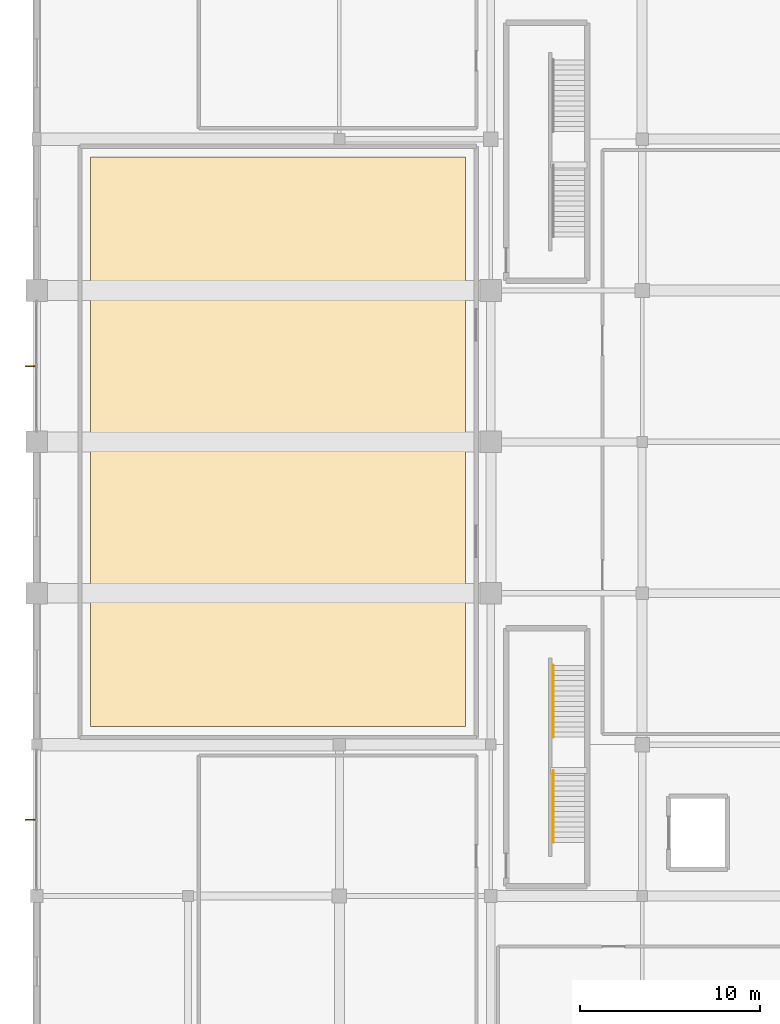
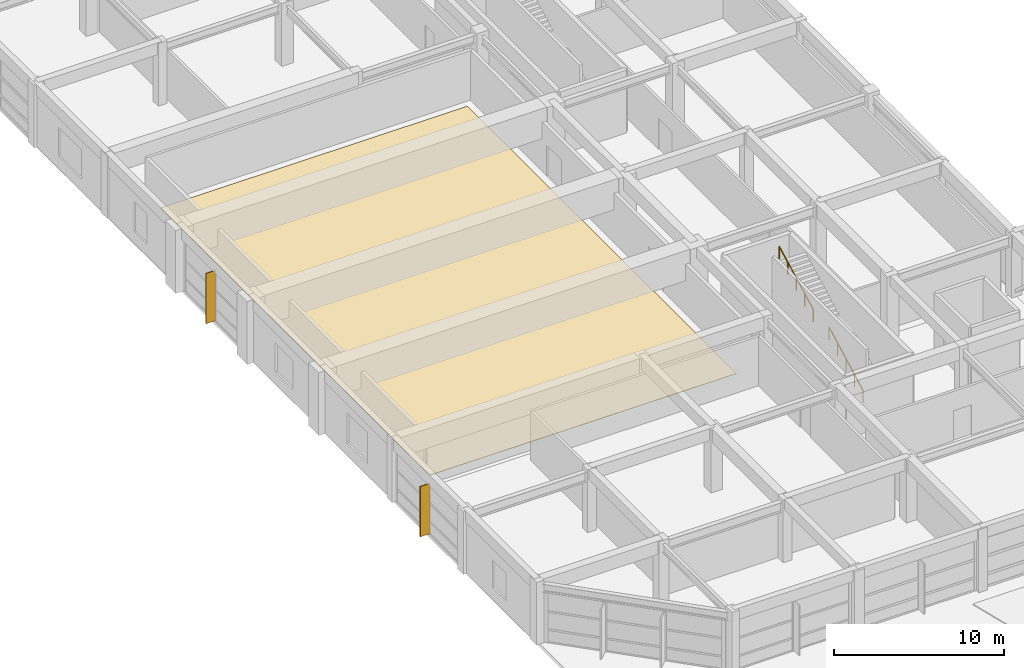
# One storey, part 53 of 60: 2 railings, 2 shading devices, 1 covering.
"""IFC4 building model written with IfcOpenShell, lengths in metres."""

import ifcopenshell
import ifcopenshell.guid

model = None  # the IFC model being written
_history = None  # IfcOwnerHistory: only IFC2X3 demands one
_inside = {}  # id of a spatial element -> (the spatial element, [elements in it])
_under = {}  # id of a project, library or spatial element -> (it, [spatial elements below it])
_declared = {}  # id of a project -> (the project, [libraries it declares])
_typed = {}  # id of a type object -> (the type object, [elements of that type])
_made_of = {}  # id of a material, layer set ... -> (it, [elements and type objects made of it])


def new_model(schema):
    """Start an empty IFC model of exactly this schema.

    Asked for "IFC4X3", IfcOpenShell would pick the latest addendum, in which some entities
    have other attributes; the version numbers below select the first issue.
    IFC2X3 requires an IfcOwnerHistory on every rooted entity: one is made here for all.
    """
    global model, _history
    if schema == "IFC4X3":
        model = ifcopenshell.file(schema_version=(4, 3, 0, 0))
    else:
        model = ifcopenshell.file(schema=schema)
    _inside.clear()
    _under.clear()
    _declared.clear()
    _typed.clear()
    _made_of.clear()
    _history = None
    if model.schema == "IFC2X3":
        org = make("IfcOrganization", Name="unknown")
        user = make(
            "IfcPersonAndOrganization",
            ThePerson=make("IfcPerson", FamilyName="unknown"),
            TheOrganization=org,
        )
        app = make(
            "IfcApplication",
            ApplicationDeveloper=org,
            Version="unknown",
            ApplicationFullName="unknown",
            ApplicationIdentifier="unknown",
        )
        _history = make(
            "IfcOwnerHistory",
            OwningUser=user,
            OwningApplication=app,
            ChangeAction="ADDED",
            CreationDate=0,
        )
    return model


def make(cls, **values):
    """One entity of the class cls with the attributes given. An attribute that is None is left unset."""
    return model.create_entity(
        cls, **{name: value for name, value in values.items() if value is not None}
    )


def rooted(cls, **values):
    """An entity with a GlobalId (a new one), such as an element, a storey or a relation."""
    return make(cls, GlobalId=ifcopenshell.guid.new(), OwnerHistory=_history, **values)


def si_unit(unit_type, name, prefix=None):
    """IfcSIUnit, for example si_unit("LENGTHUNIT", "METRE", prefix="MILLI")."""
    return make("IfcSIUnit", UnitType=unit_type, Prefix=prefix, Name=name)


def assignment(units):
    """IfcUnitAssignment: the units of a project."""
    return None if units is None else make("IfcUnitAssignment", Units=units)


def point(xyz):
    """IfcCartesianPoint."""
    return None if xyz is None else make("IfcCartesianPoint", Coordinates=xyz)


def direction(xyz):
    """IfcDirection."""
    return None if xyz is None else make("IfcDirection", DirectionRatios=xyz)


def frame(location, z_axis=None, x_axis=None):
    """IfcAxis2Placement3D, a coordinate frame: its origin and axes. An axis left out is left unset."""
    return make(
        "IfcAxis2Placement3D",
        Location=point(location),
        Axis=direction(z_axis),
        RefDirection=direction(x_axis),
    )


def frame_2d(location, x_axis=None):
    """IfcAxis2Placement2D, a coordinate frame in the plane: its origin and x axis."""
    return make(
        "IfcAxis2Placement2D", Location=point(location), RefDirection=direction(x_axis)
    )


def origin():
    """The frame at (0, 0, 0) with its axes left unset."""
    return frame((0.0, 0.0, 0.0))


def origin_2d():
    """The frame at (0, 0) in the plane with its x axis left unset."""
    return frame_2d((0.0, 0.0))


def place(relative_to, where):
    """IfcLocalPlacement: puts the frame where relative to a parent placement (None: the world)."""
    return make(
        "IfcLocalPlacement", PlacementRelTo=relative_to, RelativePlacement=where
    )


def context(
    kind, dimensions, precision=None, world=None, true_north=None, identifier=None
):
    """IfcGeometricRepresentationContext, for example the 3D "Model" context."""
    return make(
        "IfcGeometricRepresentationContext",
        ContextIdentifier=identifier,
        ContextType=kind,
        CoordinateSpaceDimension=dimensions,
        Precision=precision,
        WorldCoordinateSystem=world,
        TrueNorth=true_north,
    )


def subcontext(parent, identifier, kind, view, scale=None):
    """IfcGeometricRepresentationSubContext, for example "Body" below "Model"."""
    return make(
        "IfcGeometricRepresentationSubContext",
        ContextIdentifier=identifier,
        ContextType=kind,
        ParentContext=parent,
        TargetScale=scale,
        TargetView=view,
    )


def project(units=None, contexts=None):
    """IfcProject with its units and contexts."""
    return rooted(
        "IfcProject",
        Name="project",
        RepresentationContexts=contexts,
        UnitsInContext=assignment(units),
    )


def spatial(cls, under=None, at=None, **own):
    """A site, building, storey or space (cls), placed at a placement, below another one or the project."""
    s = rooted(cls, ObjectPlacement=at, **own)
    if under is not None:
        _under.setdefault(under.id(), (under, []))[1].append(s)
    return s


def polyline(points):
    """IfcPolyline through the points."""
    return make("IfcPolyline", Points=[point(p) for p in points])


def profile(cls, at=None, kind="AREA", **sizes):
    """A parametric profile (cls). Its sizes go by their IFC names, for example OverallWidth=200.0."""
    return make(cls, ProfileType=kind, Position=at, **sizes)


def rectangle(**sizes):
    """IfcRectangleProfileDef."""
    return profile("IfcRectangleProfileDef", **sizes)


def circle(**sizes):
    """IfcCircleProfileDef."""
    return profile("IfcCircleProfileDef", **sizes)


def outline(outer, holes=None, kind="AREA"):
    """IfcArbitraryClosedProfileDef: a profile drawn as a closed curve; with holes, ...WithVoids."""
    if holes is None:
        return make("IfcArbitraryClosedProfileDef", ProfileType=kind, OuterCurve=outer)
    return make(
        "IfcArbitraryProfileDefWithVoids",
        ProfileType=kind,
        OuterCurve=outer,
        InnerCurves=holes,
    )


def extrude(swept, where, along, depth):
    """IfcExtrudedAreaSolid: the profile swept, set in the frame where, extruded along a direction by depth."""
    return make(
        "IfcExtrudedAreaSolid",
        SweptArea=swept,
        Position=where,
        ExtrudedDirection=direction(along),
        Depth=depth,
    )


def shape(context_of_items, identifier, shape_type, items):
    """IfcShapeRepresentation: the items that make up one representation, for example the "Body"."""
    return make(
        "IfcShapeRepresentation",
        ContextOfItems=context_of_items,
        RepresentationIdentifier=identifier,
        RepresentationType=shape_type,
        Items=items,
    )


def material(Name=None, Category=None):
    """IfcMaterial."""
    return make("IfcMaterial", Name=Name, Category=Category)


def layer(
    of_material, thickness, ventilated=None, Name=None, Category=None, Priority=None
):
    """IfcMaterialLayer: one layer of a wall or slab, of a material (None: an air gap)."""
    return make(
        "IfcMaterialLayer",
        Material=of_material,
        LayerThickness=thickness,
        IsVentilated=ventilated,
        Name=Name,
        Category=Category,
        Priority=Priority,
    )


def layer_set(layers, Name=None):
    """IfcMaterialLayerSet."""
    return make("IfcMaterialLayerSet", MaterialLayers=layers, LayerSetName=Name)


def made_of(thing, what):
    """Note that an element or type object is made of a material, layer set ...; save() writes the relation."""
    if what is not None:
        _made_of.setdefault(what.id(), (what, []))[1].append(thing)
    return thing


def type_object(cls, material=None, **own):
    """A type object (cls), such as IfcWallType, which elements share."""
    return made_of(rooted(cls, **own), material)


def element(
    cls,
    number,
    at=None,
    inside=None,
    cuts=None,
    type_object=None,
    material=None,
    context=None,
    identifier="Body",
    shape_type=None,
    held_by="IfcProductDefinitionShape",
    body=None,
    shapes=None,
    **own,
):
    """One element of the class cls, such as IfcWall. Its Tag is "e" and its number.

    at: its placement. inside: the storey or other place that contains it. cuts: it is an
    opening in that element (IfcRelVoidsElement). A single representation is given by context,
    identifier, shape_type and body (its items); several are given by shapes. held_by: the class
    of the entity that holds the representations. save() writes the other relations.
    """
    e = rooted(cls, Tag="e%d" % number, ObjectPlacement=at, **own)
    if body is not None:
        shapes = [shape(context, identifier, shape_type, body)]
    if shapes is not None:
        e.Representation = make(held_by, Representations=shapes)
    if inside is not None:
        _inside.setdefault(inside.id(), (inside, []))[1].append(e)
    if cuts is not None:
        rooted(
            "IfcRelVoidsElement", RelatingBuildingElement=cuts, RelatedOpeningElement=e
        )
    if type_object is not None:
        _typed.setdefault(type_object.id(), (type_object, []))[1].append(e)
    return made_of(e, material)


def aggregate(whole, parts):
    """IfcRelAggregates: a whole, such as a stair, and the parts it consists of."""
    return rooted("IfcRelAggregates", RelatingObject=whole, RelatedObjects=parts)


def save(model, path):
    """Write the relations noted so far, then the file.

    IfcRelAggregates (storeys below a building ...), IfcRelContainedInSpatialStructure (elements
    in a storey), IfcRelDefinesByType, IfcRelAssociatesMaterial and IfcRelDeclares: one each for
    every whole, place, type object, material and project.
    """
    for whole, parts in _under.values():
        aggregate(whole, parts)
    for where, things in _inside.values():
        rooted(
            "IfcRelContainedInSpatialStructure",
            RelatedElements=things,
            RelatingStructure=where,
        )
    for kind, things in _typed.values():
        rooted("IfcRelDefinesByType", RelatedObjects=things, RelatingType=kind)
    for what, things in _made_of.values():
        rooted("IfcRelAssociatesMaterial", RelatedObjects=things, RelatingMaterial=what)
    for by, libraries in _declared.values():
        rooted("IfcRelDeclares", RelatingContext=by, RelatedDefinitions=libraries)
    model.write(path)


model = new_model("IFC4")

# Units and contexts
model_context = context("Model", 3, precision=1e-05, world=origin(), true_north=direction((0.0, 1.0)))
body_context = subcontext(model_context, "Body", "Model", "MODEL_VIEW")
ifc_project = project(units=[si_unit("LENGTHUNIT", "METRE"), si_unit("AREAUNIT", "SQUARE_METRE"), si_unit("VOLUMEUNIT", "CUBIC_METRE"), si_unit("PLANEANGLEUNIT", "RADIAN"), si_unit("MASSUNIT", "GRAM", prefix="KILO")], contexts=[model_context])

# Site, building, storey
site_placement = place(None, origin())
site = spatial("IfcSite", under=ifc_project, at=site_placement, CompositionType="ELEMENT")
building_placement = place(site_placement, origin())
building = spatial("IfcBuilding", under=site, at=building_placement, Name="Xuanlan Plaza Opera House", CompositionType="ELEMENT")
storey_placement = place(building_placement, frame((0.0, 0.0, 9.89990234375)))
storey = spatial("IfcBuildingStorey", under=building, at=storey_placement, Name="L02", CompositionType="ELEMENT", Elevation=9.89990234375)

# Shading devices
ifc_material_1 = material(Name="Anodised Aluminium 6063-T6", Category="aluminium")
shading_device_type = type_object("IfcShadingDeviceType", Name="ENV-SHD-BRS01", PredefinedType="JALOUSIE", material=ifc_material_1)
for number, where, z_axis, x_axis, name in (
    (1, (-0.324951171875, 63.0, 0.0400390625), (0.0, 0.0, 1.0), (-1.0, 0.0, 0.0), "Parametric Sunshade Fin L02-0143"),
    (2, (-0.324951171875, 37.824951171875, 0.0400390625), (0.0, 0.0, 1.0), (-1.0, 0.0, 0.0), "Parametric Sunshade Fin L02-0144"),
):
    element("IfcShadingDevice", number, at=place(storey_placement, frame(where, z_axis=z_axis, x_axis=x_axis)), inside=storey, type_object=shading_device_type, Name=name, PredefinedType="JALOUSIE", context=body_context, shape_type="SweptSolid", body=[
        extrude(rectangle(XDim=0.639892578125, YDim=0.070068359375, at=origin_2d()), origin(), (0.0, 0.0, 1.0), 3.60009765625),
    ])

# Covering
ifc_material_2 = material(Name="Oregon Pine Hardwood Timber", Category="wood")
ifc_layer = layer(ifc_material_2, 0.030029296875)
ifc_layer_set = layer_set([ifc_layer], Name="Oregon Pine Hardwood Timber")
covering_type = type_object("IfcCoveringType", Name="INT-COV-FLR-01", PredefinedType="FLOORING", material=ifc_layer_set)
covering_placement = place(storey_placement, origin())
element("IfcCovering", 3, at=covering_placement, inside=storey, type_object=covering_type, Name="Acoustic Floor Finish FLR-REH-L02", PredefinedType="FLOORING", context=body_context, shape_type="SweptSolid", body=[
    extrude(outline(polyline([(3.0, 43.0), (23.800048828125, 43.0), (23.800048828125, 74.60009765625), (3.0, 74.60009765625), (3.0, 43.0)])), origin(), (0.0, 0.0, 1.0), 0.030029296875),
])

# Railings
ifc_material_3 = material(Name="Stainless Steel S30408", Category="steel")
railing_type = type_object("IfcRailingType", Name="INT-RL-HR01", PredefinedType="HANDRAIL", material=ifc_material_3)
for number, where, name in (
    (4, (28.659912109375, 36.570068359375, 0.150146484375), "Stair Handrail ST-P1 L02 Flight 1"),
    (5, (28.659912109375, 42.409912109375, 2.400146484375), "Stair Handrail ST-P1 L02 Flight 2"),
):
    element("IfcRailing", number, at=place(storey_placement, frame(where)), inside=storey, type_object=railing_type, Name=name, PredefinedType="HANDRAIL", context=body_context, shape_type="SweptSolid", body=[
        extrude(circle(Radius=0.02392578125, at=origin_2d()), frame((0.0, 0.0, 0.8759765625), z_axis=(0.0, 0.884931142248, 0.465721884261), x_axis=(-1.0, 0.0, 0.0)), (0.0, 0.0, 1.0), 4.5087890625),
        extrude(circle(Radius=0.02099609375, at=origin_2d()), origin(), (0.0, 0.0, 1.0), 0.851806640625),
        extrude(circle(Radius=0.02099609375, at=origin_2d()), frame((0.0, 0.99755859375, 0.52490234375)), (0.0, 0.0, 1.0), 0.851806640625),
        extrude(circle(Radius=0.02099609375, at=origin_2d()), frame((0.0, 1.9951171875, 1.0498046875)), (0.0, 0.0, 1.0), 0.851806640625),
        extrude(circle(Radius=0.02099609375, at=origin_2d()), frame((0.0, 2.992431640625, 1.574951171875)), (0.0, 0.0, 1.0), 0.851806640625),
        extrude(circle(Radius=0.02099609375, at=origin_2d()), frame((0.0, 3.989990234375, 2.099853515625)), (0.0, 0.0, 1.0), 0.851806640625),
    ])

save(model, "model.ifc")
